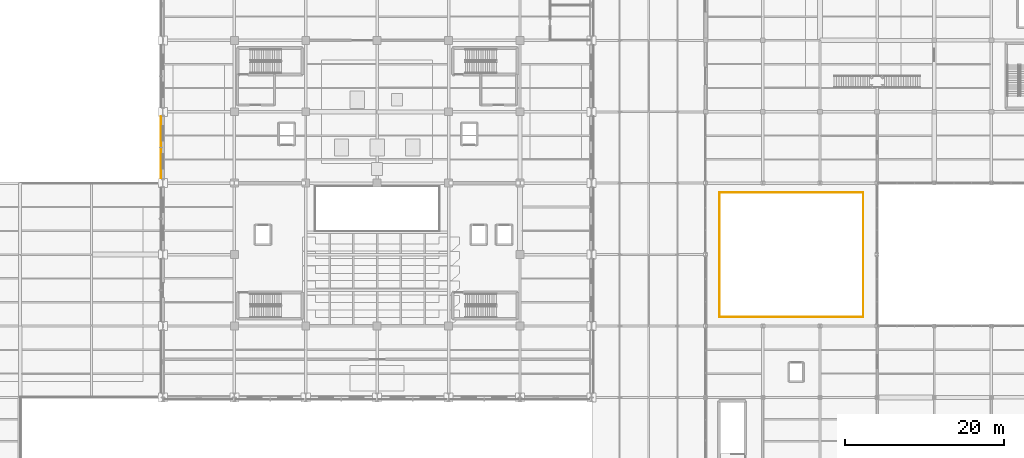
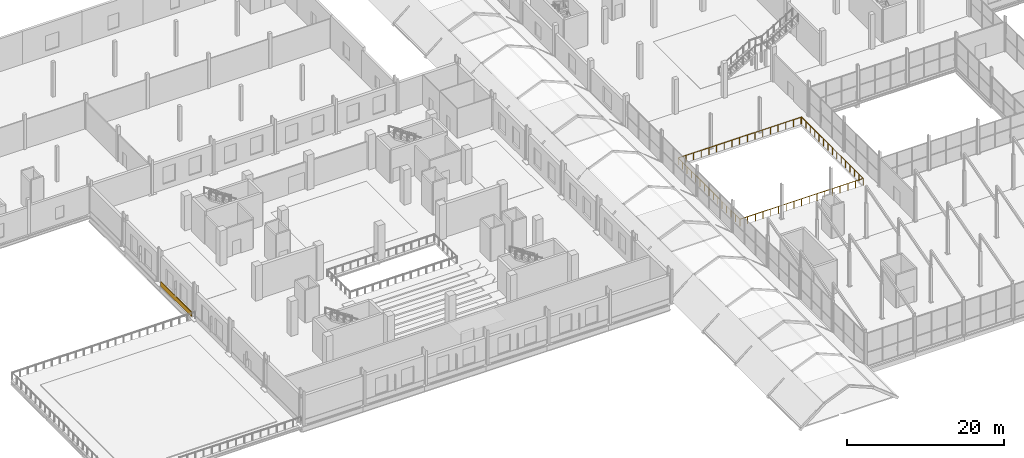
# One storey, part 133 of 141: 2 railings, 1 covering.
"""IFC4 building model written with IfcOpenShell, lengths in metres."""

from ifc_helpers import new_model, si_unit, direction, frame, origin, origin_2d, place, context, subcontext, project, spatial, rectangle, circle, extrude, material, layer, layer_set, type_object, element, save


model = new_model("IFC4")

# Units and contexts
model_context = context("Model", 3, precision=1e-05, world=origin(), true_north=direction((0.0, 1.0)))
body_context = subcontext(model_context, "Body", "Model", "MODEL_VIEW")
ifc_project = project(units=[si_unit("LENGTHUNIT", "METRE"), si_unit("AREAUNIT", "SQUARE_METRE"), si_unit("VOLUMEUNIT", "CUBIC_METRE"), si_unit("PLANEANGLEUNIT", "RADIAN"), si_unit("MASSUNIT", "GRAM", prefix="KILO")], contexts=[model_context])

# Site, building, storey
site_placement = place(None, origin())
site = spatial("IfcSite", under=ifc_project, at=site_placement, CompositionType="ELEMENT")
building_placement = place(site_placement, origin())
building = spatial("IfcBuilding", under=site, at=building_placement, Name="Sundgate Opera House", CompositionType="ELEMENT")
storey_placement = place(building_placement, frame((0.0, 0.0, 11.39990234375)))
storey = spatial("IfcBuildingStorey", under=building, at=storey_placement, Name="L02", CompositionType="ELEMENT", Elevation=11.39990234375)

# Covering
ifc_material_1 = material(Name="Frost-proof vitrified stoneware trencadis relief tile", Category="masonry")
ifc_layer = layer(ifc_material_1, 0.074951171875)
ifc_layer_set = layer_set([ifc_layer], Name="Frost-proof vitrified stoneware trencadis relief tile")
covering_type = type_object("IfcCoveringType", Name="CV-TRENC-RELIEF", PredefinedType="CLADDING", material=ifc_layer_set)
covering_placement = place(storey_placement, frame((26.742431640625, 64.5, 0.045166015625), z_axis=(0.0, 0.0, 1.0), x_axis=(0.0, 1.0, 0.0)))
element("IfcCovering", 1, at=covering_placement, inside=storey, type_object=covering_type, Name="L02 Trencadis 750mm Relief Band CV0019", PredefinedType="CLADDING", context=body_context, shape_type="SweptSolid", body=[
    extrude(rectangle(XDim=7.81005859375, YDim=0.074951171875, at=origin_2d()), origin(), (0.0, 0.0, 1.0), 0.75),
])

# Railings
ifc_material_2 = material(Name="Painted steel S275 guardrail", Category="steel")
railing_type = type_object("IfcRailingType", Name="RL-STAIR-GUARD-1100", PredefinedType="GUARDRAIL", material=ifc_material_2)
railing_1_placement = place(storey_placement, frame((97.14990234375, 43.14990234375, 0.0)))
element("IfcRailing", 2, at=railing_1_placement, inside=storey, type_object=railing_type, Name="L02 Interior Guardrail RL0294", PredefinedType="GUARDRAIL", context=body_context, shape_type="SweptSolid", body=[
    extrude(circle(Radius=0.02392578125, at=origin_2d()), frame((0.0, 0.0, 1.076171875), z_axis=(1.0, 0.0, 0.0), x_axis=(0.0, 1.0, 0.0)), (0.0, 0.0, 1.0), 18.10009765625),
    extrude(circle(Radius=0.02392578125, at=origin_2d()), frame((18.10009765625, 0.0, 1.076171875), z_axis=(0.0, 1.0, 0.0), x_axis=(-1.0, 0.0, 0.0)), (0.0, 0.0, 1.0), 15.7001953125),
    extrude(circle(Radius=0.02099609375, at=origin_2d()), origin(), (0.0, 0.0, 1.0), 1.052001953125),
    extrude(circle(Radius=0.02099609375, at=origin_2d()), frame((1.13134765625, 0.0, 0.0)), (0.0, 0.0, 1.0), 1.052001953125),
    extrude(circle(Radius=0.02099609375, at=origin_2d()), frame((2.262451171875, 0.0, 0.0)), (0.0, 0.0, 1.0), 1.052001953125),
    extrude(circle(Radius=0.02099609375, at=origin_2d()), frame((3.393798828125, 0.0, 0.0)), (0.0, 0.0, 1.0), 1.052001953125),
    extrude(circle(Radius=0.02099609375, at=origin_2d()), frame((4.52490234375, 0.0, 0.0)), (0.0, 0.0, 1.0), 1.052001953125),
    extrude(circle(Radius=0.02099609375, at=origin_2d()), frame((5.65625, 0.0, 0.0)), (0.0, 0.0, 1.0), 1.052001953125),
    extrude(circle(Radius=0.02099609375, at=origin_2d()), frame((6.78759765625, 0.0, 0.0)), (0.0, 0.0, 1.0), 1.052001953125),
    extrude(circle(Radius=0.02099609375, at=origin_2d()), frame((7.918701171875, 0.0, 0.0)), (0.0, 0.0, 1.0), 1.052001953125),
    extrude(circle(Radius=0.02099609375, at=origin_2d()), frame((9.050048828125, 0.0, 0.0)), (0.0, 0.0, 1.0), 1.052001953125),
    extrude(circle(Radius=0.02099609375, at=origin_2d()), frame((10.181396484375, 0.0, 0.0)), (0.0, 0.0, 1.0), 1.052001953125),
    extrude(circle(Radius=0.02099609375, at=origin_2d()), frame((11.3125, 0.0, 0.0)), (0.0, 0.0, 1.0), 1.052001953125),
    extrude(circle(Radius=0.02099609375, at=origin_2d()), frame((12.44384765625, 0.0, 0.0)), (0.0, 0.0, 1.0), 1.052001953125),
    extrude(circle(Radius=0.02099609375, at=origin_2d()), frame((13.5751953125, 0.0, 0.0)), (0.0, 0.0, 1.0), 1.052001953125),
    extrude(circle(Radius=0.02099609375, at=origin_2d()), frame((14.706298828125, 0.0, 0.0)), (0.0, 0.0, 1.0), 1.052001953125),
    extrude(circle(Radius=0.02099609375, at=origin_2d()), frame((15.837646484375, 0.0, 0.0)), (0.0, 0.0, 1.0), 1.052001953125),
    extrude(circle(Radius=0.02099609375, at=origin_2d()), frame((16.96875, 0.0, 0.0)), (0.0, 0.0, 1.0), 1.052001953125),
    extrude(circle(Radius=0.02099609375, at=origin_2d()), frame((18.10009765625, 0.0, 0.0)), (0.0, 0.0, 1.0), 1.052001953125),
    extrude(circle(Radius=0.02099609375, at=origin_2d()), frame((18.10009765625, 1.121337890625, 0.0)), (0.0, 0.0, 1.0), 1.052001953125),
    extrude(circle(Radius=0.02099609375, at=origin_2d()), frame((18.10009765625, 2.242919921875, 0.0)), (0.0, 0.0, 1.0), 1.052001953125),
    extrude(circle(Radius=0.02099609375, at=origin_2d()), frame((18.10009765625, 3.3642578125, 0.0)), (0.0, 0.0, 1.0), 1.052001953125),
    extrude(circle(Radius=0.02099609375, at=origin_2d()), frame((18.10009765625, 4.48583984375, 0.0)), (0.0, 0.0, 1.0), 1.052001953125),
    extrude(circle(Radius=0.02099609375, at=origin_2d()), frame((18.10009765625, 5.607177734375, 0.0)), (0.0, 0.0, 1.0), 1.052001953125),
    extrude(circle(Radius=0.02099609375, at=origin_2d()), frame((18.10009765625, 6.728759765625, 0.0)), (0.0, 0.0, 1.0), 1.052001953125),
    extrude(circle(Radius=0.02099609375, at=origin_2d()), frame((18.10009765625, 7.85009765625, 0.0)), (0.0, 0.0, 1.0), 1.052001953125),
    extrude(circle(Radius=0.02099609375, at=origin_2d()), frame((18.10009765625, 8.971435546875, 0.0)), (0.0, 0.0, 1.0), 1.052001953125),
    extrude(circle(Radius=0.02099609375, at=origin_2d()), frame((18.10009765625, 10.093017578125, 0.0)), (0.0, 0.0, 1.0), 1.052001953125),
    extrude(circle(Radius=0.02099609375, at=origin_2d()), frame((18.10009765625, 11.21435546875, 0.0)), (0.0, 0.0, 1.0), 1.052001953125),
    extrude(circle(Radius=0.02099609375, at=origin_2d()), frame((18.10009765625, 12.3359375, 0.0)), (0.0, 0.0, 1.0), 1.052001953125),
    extrude(circle(Radius=0.02099609375, at=origin_2d()), frame((18.10009765625, 13.457275390625, 0.0)), (0.0, 0.0, 1.0), 1.052001953125),
    extrude(circle(Radius=0.02099609375, at=origin_2d()), frame((18.10009765625, 14.578857421875, 0.0)), (0.0, 0.0, 1.0), 1.052001953125),
    extrude(circle(Radius=0.02099609375, at=origin_2d()), frame((18.10009765625, 15.7001953125, 0.0)), (0.0, 0.0, 1.0), 1.052001953125),
])
railing_2_placement = place(storey_placement, frame((115.199951171875, 58.85009765625, 0.0)))
element("IfcRailing", 3, at=railing_2_placement, inside=storey, type_object=railing_type, Name="L02 Interior Guardrail RL0295", PredefinedType="GUARDRAIL", context=body_context, shape_type="SweptSolid", body=[
    extrude(circle(Radius=0.02392578125, at=origin_2d()), frame((0.0, 0.0, 1.076171875), z_axis=(-1.0, 0.0, 0.0), x_axis=(0.0, -1.0, 0.0)), (0.0, 0.0, 1.0), 18.050048828125),
    extrude(circle(Radius=0.02392578125, at=origin_2d()), frame((-18.050048828125, 0.0, 1.076171875), z_axis=(0.0, -1.0, 0.0), x_axis=(1.0, 0.0, 0.0)), (0.0, 0.0, 1.0), 15.650146484375),
    extrude(circle(Radius=0.02099609375, at=origin_2d()), origin(), (0.0, 0.0, 1.0), 1.052001953125),
    extrude(circle(Radius=0.02099609375, at=origin_2d()), frame((-1.128173828125, 0.0, 0.0)), (0.0, 0.0, 1.0), 1.052001953125),
    extrude(circle(Radius=0.02099609375, at=origin_2d()), frame((-2.25634765625, 0.0, 0.0)), (0.0, 0.0, 1.0), 1.052001953125),
    extrude(circle(Radius=0.02099609375, at=origin_2d()), frame((-3.38427734375, 0.0, 0.0)), (0.0, 0.0, 1.0), 1.052001953125),
    extrude(circle(Radius=0.02099609375, at=origin_2d()), frame((-4.512451171875, 0.0, 0.0)), (0.0, 0.0, 1.0), 1.052001953125),
    extrude(circle(Radius=0.02099609375, at=origin_2d()), frame((-5.640625, 0.0, 0.0)), (0.0, 0.0, 1.0), 1.052001953125),
    extrude(circle(Radius=0.02099609375, at=origin_2d()), frame((-6.768798828125, 0.0, 0.0)), (0.0, 0.0, 1.0), 1.052001953125),
    extrude(circle(Radius=0.02099609375, at=origin_2d()), frame((-7.89697265625, 0.0, 0.0)), (0.0, 0.0, 1.0), 1.052001953125),
    extrude(circle(Radius=0.02099609375, at=origin_2d()), frame((-9.02490234375, 0.0, 0.0)), (0.0, 0.0, 1.0), 1.052001953125),
    extrude(circle(Radius=0.02099609375, at=origin_2d()), frame((-10.153076171875, 0.0, 0.0)), (0.0, 0.0, 1.0), 1.052001953125),
    extrude(circle(Radius=0.02099609375, at=origin_2d()), frame((-11.28125, 0.0, 0.0)), (0.0, 0.0, 1.0), 1.052001953125),
    extrude(circle(Radius=0.02099609375, at=origin_2d()), frame((-12.409423828125, 0.0, 0.0)), (0.0, 0.0, 1.0), 1.052001953125),
    extrude(circle(Radius=0.02099609375, at=origin_2d()), frame((-13.53759765625, 0.0, 0.0)), (0.0, 0.0, 1.0), 1.052001953125),
    extrude(circle(Radius=0.02099609375, at=origin_2d()), frame((-14.665771484375, 0.0, 0.0)), (0.0, 0.0, 1.0), 1.052001953125),
    extrude(circle(Radius=0.02099609375, at=origin_2d()), frame((-15.793701171875, 0.0, 0.0)), (0.0, 0.0, 1.0), 1.052001953125),
    extrude(circle(Radius=0.02099609375, at=origin_2d()), frame((-16.921875, 0.0, 0.0)), (0.0, 0.0, 1.0), 1.052001953125),
    extrude(circle(Radius=0.02099609375, at=origin_2d()), frame((-18.050048828125, 0.0, 0.0)), (0.0, 0.0, 1.0), 1.052001953125),
    extrude(circle(Radius=0.02099609375, at=origin_2d()), frame((-18.050048828125, -1.117919921875, 0.0)), (0.0, 0.0, 1.0), 1.052001953125),
    extrude(circle(Radius=0.02099609375, at=origin_2d()), frame((-18.050048828125, -2.23583984375, 0.0)), (0.0, 0.0, 1.0), 1.052001953125),
    extrude(circle(Radius=0.02099609375, at=origin_2d()), frame((-18.050048828125, -3.353515625, 0.0)), (0.0, 0.0, 1.0), 1.052001953125),
    extrude(circle(Radius=0.02099609375, at=origin_2d()), frame((-18.050048828125, -4.471435546875, 0.0)), (0.0, 0.0, 1.0), 1.052001953125),
    extrude(circle(Radius=0.02099609375, at=origin_2d()), frame((-18.050048828125, -5.58935546875, 0.0)), (0.0, 0.0, 1.0), 1.052001953125),
    extrude(circle(Radius=0.02099609375, at=origin_2d()), frame((-18.050048828125, -6.707275390625, 0.0)), (0.0, 0.0, 1.0), 1.052001953125),
    extrude(circle(Radius=0.02099609375, at=origin_2d()), frame((-18.050048828125, -7.8251953125, 0.0)), (0.0, 0.0, 1.0), 1.052001953125),
    extrude(circle(Radius=0.02099609375, at=origin_2d()), frame((-18.050048828125, -8.94287109375, 0.0)), (0.0, 0.0, 1.0), 1.052001953125),
    extrude(circle(Radius=0.02099609375, at=origin_2d()), frame((-18.050048828125, -10.060791015625, 0.0)), (0.0, 0.0, 1.0), 1.052001953125),
    extrude(circle(Radius=0.02099609375, at=origin_2d()), frame((-18.050048828125, -11.1787109375, 0.0)), (0.0, 0.0, 1.0), 1.052001953125),
    extrude(circle(Radius=0.02099609375, at=origin_2d()), frame((-18.050048828125, -12.296630859375, 0.0)), (0.0, 0.0, 1.0), 1.052001953125),
    extrude(circle(Radius=0.02099609375, at=origin_2d()), frame((-18.050048828125, -13.414306640625, 0.0)), (0.0, 0.0, 1.0), 1.052001953125),
    extrude(circle(Radius=0.02099609375, at=origin_2d()), frame((-18.050048828125, -14.5322265625, 0.0)), (0.0, 0.0, 1.0), 1.052001953125),
    extrude(circle(Radius=0.02099609375, at=origin_2d()), frame((-18.050048828125, -15.650146484375, 0.0)), (0.0, 0.0, 1.0), 1.052001953125),
])

save(model, "model.ifc")
